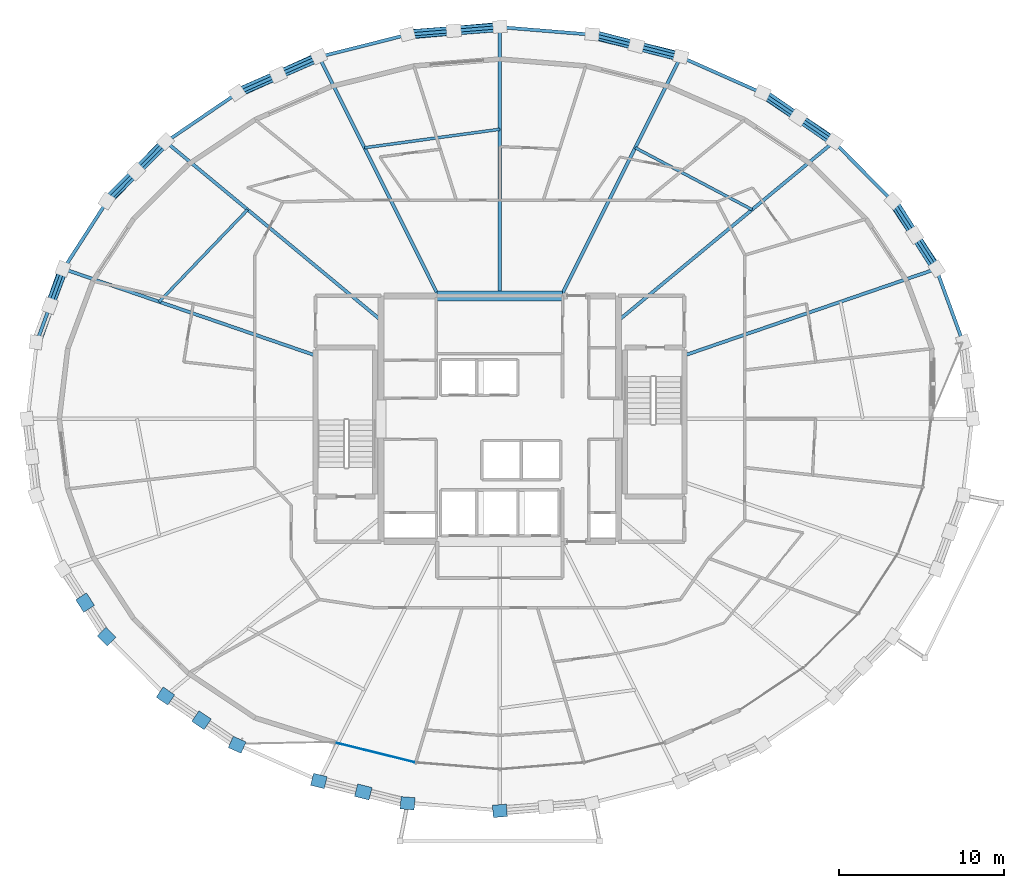
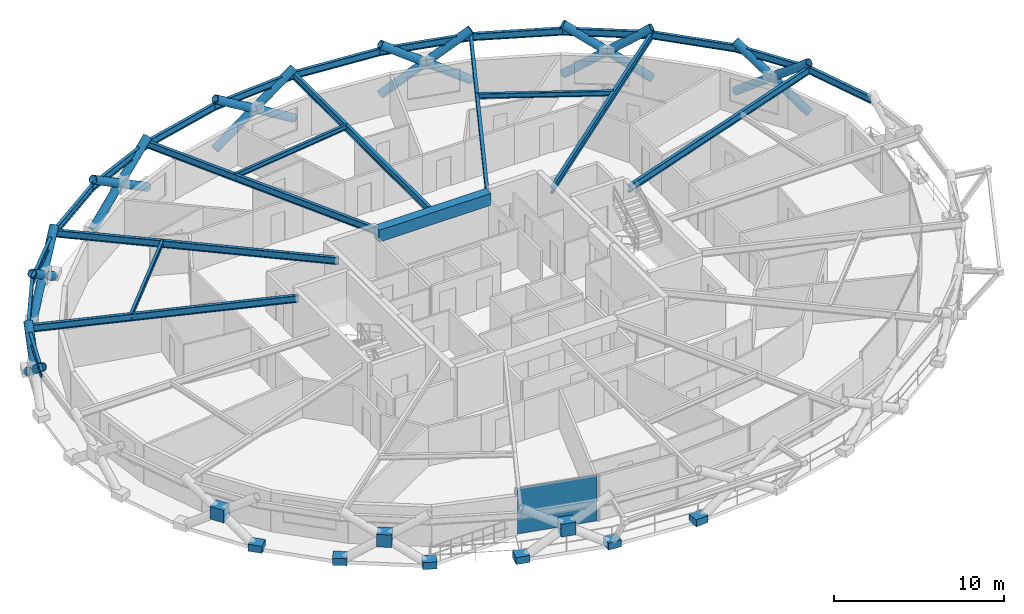
# One storey, part 12 of 21: 25 beams, 20 members, 10 plates, 1 element without a shape of its own.
"""IFC4 building model written with IfcOpenShell, lengths in metres."""

import ifcopenshell
import ifcopenshell.guid

model = None  # the IFC model being written
_history = None  # IfcOwnerHistory: only IFC2X3 demands one
_inside = {}  # id of a spatial element -> (the spatial element, [elements in it])
_under = {}  # id of a project, library or spatial element -> (it, [spatial elements below it])
_declared = {}  # id of a project -> (the project, [libraries it declares])
_typed = {}  # id of a type object -> (the type object, [elements of that type])
_made_of = {}  # id of a material, layer set ... -> (it, [elements and type objects made of it])


def new_model(schema):
    """Start an empty IFC model of exactly this schema.

    Asked for "IFC4X3", IfcOpenShell would pick the latest addendum, in which some entities
    have other attributes; the version numbers below select the first issue.
    IFC2X3 requires an IfcOwnerHistory on every rooted entity: one is made here for all.
    """
    global model, _history
    if schema == "IFC4X3":
        model = ifcopenshell.file(schema_version=(4, 3, 0, 0))
    else:
        model = ifcopenshell.file(schema=schema)
    _inside.clear()
    _under.clear()
    _declared.clear()
    _typed.clear()
    _made_of.clear()
    _history = None
    if model.schema == "IFC2X3":
        org = make("IfcOrganization", Name="unknown")
        user = make(
            "IfcPersonAndOrganization",
            ThePerson=make("IfcPerson", FamilyName="unknown"),
            TheOrganization=org,
        )
        app = make(
            "IfcApplication",
            ApplicationDeveloper=org,
            Version="unknown",
            ApplicationFullName="unknown",
            ApplicationIdentifier="unknown",
        )
        _history = make(
            "IfcOwnerHistory",
            OwningUser=user,
            OwningApplication=app,
            ChangeAction="ADDED",
            CreationDate=0,
        )
    return model


def make(cls, **values):
    """One entity of the class cls with the attributes given. An attribute that is None is left unset."""
    return model.create_entity(
        cls, **{name: value for name, value in values.items() if value is not None}
    )


def rooted(cls, **values):
    """An entity with a GlobalId (a new one), such as an element, a storey or a relation."""
    return make(cls, GlobalId=ifcopenshell.guid.new(), OwnerHistory=_history, **values)


def si_unit(unit_type, name, prefix=None):
    """IfcSIUnit, for example si_unit("LENGTHUNIT", "METRE", prefix="MILLI")."""
    return make("IfcSIUnit", UnitType=unit_type, Prefix=prefix, Name=name)


def assignment(units):
    """IfcUnitAssignment: the units of a project."""
    return None if units is None else make("IfcUnitAssignment", Units=units)


def point(xyz):
    """IfcCartesianPoint."""
    return None if xyz is None else make("IfcCartesianPoint", Coordinates=xyz)


def direction(xyz):
    """IfcDirection."""
    return None if xyz is None else make("IfcDirection", DirectionRatios=xyz)


def frame(location, z_axis=None, x_axis=None):
    """IfcAxis2Placement3D, a coordinate frame: its origin and axes. An axis left out is left unset."""
    return make(
        "IfcAxis2Placement3D",
        Location=point(location),
        Axis=direction(z_axis),
        RefDirection=direction(x_axis),
    )


def frame_2d(location, x_axis=None):
    """IfcAxis2Placement2D, a coordinate frame in the plane: its origin and x axis."""
    return make(
        "IfcAxis2Placement2D", Location=point(location), RefDirection=direction(x_axis)
    )


def origin():
    """The frame at (0, 0, 0) with its axes left unset."""
    return frame((0.0, 0.0, 0.0))


def origin_2d():
    """The frame at (0, 0) in the plane with its x axis left unset."""
    return frame_2d((0.0, 0.0))


def place(relative_to, where):
    """IfcLocalPlacement: puts the frame where relative to a parent placement (None: the world)."""
    return make(
        "IfcLocalPlacement", PlacementRelTo=relative_to, RelativePlacement=where
    )


def context(
    kind, dimensions, precision=None, world=None, true_north=None, identifier=None
):
    """IfcGeometricRepresentationContext, for example the 3D "Model" context."""
    return make(
        "IfcGeometricRepresentationContext",
        ContextIdentifier=identifier,
        ContextType=kind,
        CoordinateSpaceDimension=dimensions,
        Precision=precision,
        WorldCoordinateSystem=world,
        TrueNorth=true_north,
    )


def subcontext(parent, identifier, kind, view, scale=None):
    """IfcGeometricRepresentationSubContext, for example "Body" below "Model"."""
    return make(
        "IfcGeometricRepresentationSubContext",
        ContextIdentifier=identifier,
        ContextType=kind,
        ParentContext=parent,
        TargetScale=scale,
        TargetView=view,
    )


def project(units=None, contexts=None):
    """IfcProject with its units and contexts."""
    return rooted(
        "IfcProject",
        Name="project",
        RepresentationContexts=contexts,
        UnitsInContext=assignment(units),
    )


def spatial(cls, under=None, at=None, **own):
    """A site, building, storey or space (cls), placed at a placement, below another one or the project."""
    s = rooted(cls, ObjectPlacement=at, **own)
    if under is not None:
        _under.setdefault(under.id(), (under, []))[1].append(s)
    return s


def profile(cls, at=None, kind="AREA", **sizes):
    """A parametric profile (cls). Its sizes go by their IFC names, for example OverallWidth=200.0."""
    return make(cls, ProfileType=kind, Position=at, **sizes)


def rectangle(**sizes):
    """IfcRectangleProfileDef."""
    return profile("IfcRectangleProfileDef", **sizes)


def hollow_circle(**sizes):
    """IfcCircleHollowProfileDef."""
    return profile("IfcCircleHollowProfileDef", **sizes)


def i_section(**sizes):
    """IfcIShapeProfileDef."""
    return profile("IfcIShapeProfileDef", **sizes)


def extrude(swept, where, along, depth):
    """IfcExtrudedAreaSolid: the profile swept, set in the frame where, extruded along a direction by depth."""
    return make(
        "IfcExtrudedAreaSolid",
        SweptArea=swept,
        Position=where,
        ExtrudedDirection=direction(along),
        Depth=depth,
    )


def shape(context_of_items, identifier, shape_type, items):
    """IfcShapeRepresentation: the items that make up one representation, for example the "Body"."""
    return make(
        "IfcShapeRepresentation",
        ContextOfItems=context_of_items,
        RepresentationIdentifier=identifier,
        RepresentationType=shape_type,
        Items=items,
    )


def material(Name=None, Category=None):
    """IfcMaterial."""
    return make("IfcMaterial", Name=Name, Category=Category)


def layer(
    of_material, thickness, ventilated=None, Name=None, Category=None, Priority=None
):
    """IfcMaterialLayer: one layer of a wall or slab, of a material (None: an air gap)."""
    return make(
        "IfcMaterialLayer",
        Material=of_material,
        LayerThickness=thickness,
        IsVentilated=ventilated,
        Name=Name,
        Category=Category,
        Priority=Priority,
    )


def layer_set(layers, Name=None):
    """IfcMaterialLayerSet."""
    return make("IfcMaterialLayerSet", MaterialLayers=layers, LayerSetName=Name)


def material_profile(
    of_material, cross_section, Name=None, Category=None, Priority=None
):
    """IfcMaterialProfile: a cross section and its material."""
    return make(
        "IfcMaterialProfile",
        Name=Name,
        Material=of_material,
        Profile=cross_section,
        Priority=Priority,
        Category=Category,
    )


def profile_set(profiles, Name=None, composite=None):
    """IfcMaterialProfileSet."""
    return make(
        "IfcMaterialProfileSet",
        Name=Name,
        MaterialProfiles=profiles,
        CompositeProfile=composite,
    )


def made_of(thing, what):
    """Note that an element or type object is made of a material, layer set ...; save() writes the relation."""
    if what is not None:
        _made_of.setdefault(what.id(), (what, []))[1].append(thing)
    return thing


def type_object(cls, material=None, **own):
    """A type object (cls), such as IfcWallType, which elements share."""
    return made_of(rooted(cls, **own), material)


def element(
    cls,
    number,
    at=None,
    inside=None,
    cuts=None,
    type_object=None,
    material=None,
    context=None,
    identifier="Body",
    shape_type=None,
    held_by="IfcProductDefinitionShape",
    body=None,
    shapes=None,
    **own,
):
    """One element of the class cls, such as IfcWall. Its Tag is "e" and its number.

    at: its placement. inside: the storey or other place that contains it. cuts: it is an
    opening in that element (IfcRelVoidsElement). A single representation is given by context,
    identifier, shape_type and body (its items); several are given by shapes. held_by: the class
    of the entity that holds the representations. save() writes the other relations.
    """
    e = rooted(cls, Tag="e%d" % number, ObjectPlacement=at, **own)
    if body is not None:
        shapes = [shape(context, identifier, shape_type, body)]
    if shapes is not None:
        e.Representation = make(held_by, Representations=shapes)
    if inside is not None:
        _inside.setdefault(inside.id(), (inside, []))[1].append(e)
    if cuts is not None:
        rooted(
            "IfcRelVoidsElement", RelatingBuildingElement=cuts, RelatedOpeningElement=e
        )
    if type_object is not None:
        _typed.setdefault(type_object.id(), (type_object, []))[1].append(e)
    return made_of(e, material)


def aggregate(whole, parts):
    """IfcRelAggregates: a whole, such as a stair, and the parts it consists of."""
    return rooted("IfcRelAggregates", RelatingObject=whole, RelatedObjects=parts)


def save(model, path):
    """Write the relations noted so far, then the file.

    IfcRelAggregates (storeys below a building ...), IfcRelContainedInSpatialStructure (elements
    in a storey), IfcRelDefinesByType, IfcRelAssociatesMaterial and IfcRelDeclares: one each for
    every whole, place, type object, material and project.
    """
    for whole, parts in _under.values():
        aggregate(whole, parts)
    for where, things in _inside.values():
        rooted(
            "IfcRelContainedInSpatialStructure",
            RelatedElements=things,
            RelatingStructure=where,
        )
    for kind, things in _typed.values():
        rooted("IfcRelDefinesByType", RelatedObjects=things, RelatingType=kind)
    for what, things in _made_of.values():
        rooted("IfcRelAssociatesMaterial", RelatedObjects=things, RelatingMaterial=what)
    for by, libraries in _declared.values():
        rooted("IfcRelDeclares", RelatingContext=by, RelatedDefinitions=libraries)
    model.write(path)


model = new_model("IFC4")

# Units and contexts
model_context = context("Model", 3, precision=1e-05, world=origin(), true_north=direction((0.0, 1.0)))
body_context = subcontext(model_context, "Body", "Model", "MODEL_VIEW")
ifc_project = project(units=[si_unit("LENGTHUNIT", "METRE"), si_unit("AREAUNIT", "SQUARE_METRE"), si_unit("VOLUMEUNIT", "CUBIC_METRE"), si_unit("PLANEANGLEUNIT", "RADIAN"), si_unit("MASSUNIT", "GRAM", prefix="KILO")], contexts=[model_context])

# Site, building, storey
site_placement = place(None, origin())
site = spatial("IfcSite", under=ifc_project, at=site_placement, CompositionType="ELEMENT")
building_placement = place(site_placement, origin())
building = spatial("IfcBuilding", under=site, at=building_placement, Name="Veldorina Hangang Commons", CompositionType="ELEMENT")
storey_placement = place(building_placement, frame((0.0, 0.0, 120.800048828125)))
storey = spatial("IfcBuildingStorey", under=building, at=storey_placement, Name="L30", CompositionType="ELEMENT", Elevation=120.800048828125)

# Beams
ifc_material_1 = material(Name="Concrete C60/75", Category="concrete")
ifc_material_profile_1 = material_profile(ifc_material_1, rectangle(XDim=0.60009765625, YDim=0.85009765625, at=origin_2d()), Name="RC-CB-600x850")
ifc_profile_set_1 = profile_set([ifc_material_profile_1], Name="Concrete C60/75")
beam_type_1 = type_object("IfcBeamType", Name="BM-CB850", PredefinedType="LINTEL", material=ifc_profile_set_1)
beam_1_placement = place(storey_placement, frame((28.199951171875, 31.449951171875, 2.925048828125), z_axis=(1.0, 0.0, 0.0), x_axis=(0.0, 1.0, 0.0)))
element("IfcBeam", 1, at=beam_1_placement, inside=storey, type_object=beam_type_1, Name="L30 north core coupling beam", PredefinedType="LINTEL", context=body_context, shape_type="SweptSolid", body=[
    extrude(rectangle(XDim=0.60009765625, YDim=0.85009765625, at=origin_2d()), origin(), (0.0, 0.0, 1.0), 7.60009765625),
])
ifc_material_2 = material(Name="Steel SM420-TMC", Category="steel")
ifc_material_profile_2 = material_profile(ifc_material_2, i_section(OverallWidth=0.199951171875, OverallDepth=0.5, WebThickness=0.010009765625, FlangeThickness=0.01611328125, FilletRadius=0.01611328125, at=origin_2d()), Name="H-500x200x10x16")
ifc_profile_set_2 = profile_set([ifc_material_profile_2], Name="Steel SM420-TMC")
beam_type_2 = type_object("IfcBeamType", Name="BM-FG500", PredefinedType="BEAM", material=ifc_profile_set_2)
beam_2_placement = place(storey_placement, frame((43.179931640625, 27.840087890625, 3.099853515625), z_axis=(0.945765438335, 0.324850328077, 0.0), x_axis=(-0.324850328077, 0.945765438335, 0.0)))
element("IfcBeam", 2, at=beam_2_placement, inside=storey, type_object=beam_type_2, Name="L30 radial floor girder 02", PredefinedType="BEAM", context=body_context, shape_type="SweptSolid", body=[
    extrude(i_section(OverallWidth=0.199951171875, OverallDepth=0.5, WebThickness=0.010009765625, FlangeThickness=0.01611328125, FilletRadius=0.01611328125, at=origin_2d()), origin(), (0.0, 0.0, 1.0), 16.1484375),
])
beam_3_placement = place(storey_placement, frame((39.199951171875, 29.970458984375, 3.099853515625), z_axis=(0.769776432581, 0.638313593654, 0.0), x_axis=(-0.638313593654, 0.769776432581, 0.0)))
element("IfcBeam", 3, at=beam_3_placement, inside=storey, type_object=beam_type_2, Name="L30 radial floor girder 03", PredefinedType="BEAM", context=body_context, shape_type="SweptSolid", body=[
    extrude(i_section(OverallWidth=0.199951171875, OverallDepth=0.5, WebThickness=0.010009765625, FlangeThickness=0.01611328125, FilletRadius=0.01611328125, at=origin_2d()), origin(), (0.0, 0.0, 1.0), 16.947998046875),
])
beam_4_placement = place(storey_placement, frame((35.721435546875, 31.449951171875, 3.099853515625), z_axis=(0.446863753993, 0.894602026248, 0.0), x_axis=(-0.894602026248, 0.446863753993, 0.0)))
element("IfcBeam", 4, at=beam_4_placement, inside=storey, type_object=beam_type_2, Name="L30 radial floor girder 04", PredefinedType="BEAM", context=body_context, shape_type="SweptSolid", body=[
    extrude(i_section(OverallWidth=0.199951171875, OverallDepth=0.5, WebThickness=0.010009765625, FlangeThickness=0.01611328125, FilletRadius=0.01611328125, at=origin_2d()), origin(), (0.0, 0.0, 1.0), 16.19189453125),
])
beam_5_placement = place(storey_placement, frame((32.0, 31.449951171875, 3.099853515625), z_axis=(0.0, 1.0, 0.0), x_axis=(-1.0, 0.0, 0.0)))
element("IfcBeam", 5, at=beam_5_placement, inside=storey, type_object=beam_type_2, Name="L30 radial floor girder 05", PredefinedType="BEAM", context=body_context, shape_type="SweptSolid", body=[
    extrude(i_section(OverallWidth=0.199951171875, OverallDepth=0.5, WebThickness=0.010009765625, FlangeThickness=0.01611328125, FilletRadius=0.01611328125, at=origin_2d()), origin(), (0.0, 0.0, 1.0), 16.29248046875),
])
beam_6_placement = place(storey_placement, frame((28.278564453125, 31.449951171875, 3.099853515625), z_axis=(-0.446863753993, 0.894602026248, 0.0), x_axis=(-0.894602026248, -0.446863753993, 0.0)))
element("IfcBeam", 6, at=beam_6_placement, inside=storey, type_object=beam_type_2, Name="L30 radial floor girder 06", PredefinedType="BEAM", context=body_context, shape_type="SweptSolid", body=[
    extrude(i_section(OverallWidth=0.199951171875, OverallDepth=0.5, WebThickness=0.010009765625, FlangeThickness=0.01611328125, FilletRadius=0.01611328125, at=origin_2d()), origin(), (0.0, 0.0, 1.0), 16.19189453125),
])
beam_7_placement = place(storey_placement, frame((24.800048828125, 29.970458984375, 3.099853515625), z_axis=(-0.769776432581, 0.638313593654, 0.0), x_axis=(-0.638313593654, -0.769776432581, 0.0)))
element("IfcBeam", 7, at=beam_7_placement, inside=storey, type_object=beam_type_2, Name="L30 radial floor girder 07", PredefinedType="BEAM", context=body_context, shape_type="SweptSolid", body=[
    extrude(i_section(OverallWidth=0.199951171875, OverallDepth=0.5, WebThickness=0.010009765625, FlangeThickness=0.01611328125, FilletRadius=0.01611328125, at=origin_2d()), origin(), (0.0, 0.0, 1.0), 16.947998046875),
])
beam_8_placement = place(storey_placement, frame((20.820068359375, 27.840087890625, 3.099853515625), z_axis=(-0.945765438335, 0.324850328077, 0.0), x_axis=(-0.324850328077, -0.945765438335, 0.0)))
element("IfcBeam", 8, at=beam_8_placement, inside=storey, type_object=beam_type_2, Name="L30 radial floor girder 08", PredefinedType="BEAM", context=body_context, shape_type="SweptSolid", body=[
    extrude(i_section(OverallWidth=0.199951171875, OverallDepth=0.5, WebThickness=0.010009765625, FlangeThickness=0.01611328125, FilletRadius=0.01611328125, at=origin_2d()), origin(), (0.0, 0.0, 1.0), 16.1484375),
])
ifc_material_3 = material(Name="Steel SM355-TMC", Category="steel")
ifc_material_profile_3 = material_profile(ifc_material_3, i_section(OverallWidth=0.175048828125, OverallDepth=0.35009765625, WebThickness=0.007080078125, FlangeThickness=0.010986328125, FilletRadius=0.012939453125, at=origin_2d()), Name="H-350x175x7x11")
ifc_profile_set_3 = profile_set([ifc_material_profile_3], Name="Steel SM355-TMC")
beam_type_3 = type_object("IfcBeamType", Name="BM-JST350", PredefinedType="JOIST", material=ifc_profile_set_3)
beam_9_placement = place(storey_placement, frame((47.28857421875, 36.677490234375, 3.175048828125), z_axis=(-0.883549201949, 0.468338347496, 0.0), x_axis=(-0.468338347496, -0.883549201949, 0.0)))
element("IfcBeam", 9, at=beam_9_placement, inside=storey, type_object=beam_type_3, Name="L30 secondary floor joist 03", PredefinedType="JOIST", context=body_context, shape_type="SweptSolid", body=[
    extrude(i_section(OverallWidth=0.175048828125, OverallDepth=0.35009765625, WebThickness=0.007080078125, FlangeThickness=0.010986328125, FilletRadius=0.012939453125, at=origin_2d()), origin(), (0.0, 0.0, 1.0), 8.014404296875),
])
beam_10_placement = place(storey_placement, frame((32.0, 41.55126953125, 3.175048828125), z_axis=(-0.990811506541, -0.135249985232, 0.0), x_axis=(0.135249985232, -0.990811506541, 0.0)))
element("IfcBeam", 10, at=beam_10_placement, inside=storey, type_object=beam_type_3, Name="L30 secondary floor joist 05", PredefinedType="JOIST", context=body_context, shape_type="SweptSolid", body=[
    extrude(i_section(OverallWidth=0.175048828125, OverallDepth=0.35009765625, WebThickness=0.007080078125, FlangeThickness=0.010986328125, FilletRadius=0.012939453125, at=origin_2d()), origin(), (0.0, 0.0, 1.0), 8.28369140625),
])
beam_11_placement = place(storey_placement, frame((16.71142578125, 36.677490234375, 3.175048828125), z_axis=(-0.692466833638, -0.721449710175, 0.0), x_axis=(0.721449710175, -0.692466833638, 0.0)))
element("IfcBeam", 11, at=beam_11_placement, inside=storey, type_object=beam_type_3, Name="L30 secondary floor joist 07", PredefinedType="JOIST", context=body_context, shape_type="SweptSolid", body=[
    extrude(i_section(OverallWidth=0.175048828125, OverallDepth=0.35009765625, WebThickness=0.007080078125, FlangeThickness=0.010986328125, FilletRadius=0.012939453125, at=origin_2d()), origin(), (0.0, 0.0, 1.0), 7.7412109375),
])
ifc_material_profile_4 = material_profile(ifc_material_2, i_section(OverallWidth=0.199951171875, OverallDepth=0.5, WebThickness=0.010009765625, FlangeThickness=0.01611328125, FilletRadius=0.01611328125, at=origin_2d()), Name="H-500x200x10x16")
ifc_profile_set_4 = profile_set([ifc_material_profile_4], Name="Steel SM420-TMC")
beam_type_4 = type_object("IfcBeamType", Name="BM-RB500", PredefinedType="BEAM", material=ifc_profile_set_4)
beam_12_placement = place(storey_placement, frame((60.08203125, 28.632080078125, 3.099853515625), z_axis=(-0.343569350265, 0.939127308494, 0.0), x_axis=(-0.939127308494, -0.343569350265, 0.0)))
element("IfcBeam", 12, at=beam_12_placement, inside=storey, type_object=beam_type_4, Name="L30 perimeter hoop ring beam 01", PredefinedType="BEAM", context=body_context, shape_type="SweptSolid", body=[
    extrude(i_section(OverallWidth=0.199951171875, OverallDepth=0.5, WebThickness=0.010009765625, FlangeThickness=0.01611328125, FilletRadius=0.01611328125, at=origin_2d()), origin(), (0.0, 0.0, 1.0), 4.742431640625),
])
beam_13_placement = place(storey_placement, frame((58.45263671875, 33.0859375, 3.099853515625), z_axis=(-0.541770407584, 0.840526516813, 0.0), x_axis=(-0.840526516813, -0.541770407584, 0.0)))
element("IfcBeam", 13, at=beam_13_placement, inside=storey, type_object=beam_type_4, Name="L30 perimeter hoop ring beam 02", PredefinedType="BEAM", context=body_context, shape_type="SweptSolid", body=[
    extrude(i_section(OverallWidth=0.199951171875, OverallDepth=0.5, WebThickness=0.010009765625, FlangeThickness=0.01611328125, FilletRadius=0.01611328125, at=origin_2d()), origin(), (0.0, 0.0, 1.0), 4.883544921875),
])
beam_14_placement = place(storey_placement, frame((55.806884765625, 37.190673828125, 3.099853515625), z_axis=(-0.703431814943, 0.710762746439, 0.0), x_axis=(-0.710762746439, -0.703431814943, 0.0)))
element("IfcBeam", 14, at=beam_14_placement, inside=storey, type_object=beam_type_4, Name="L30 perimeter hoop ring beam 03", PredefinedType="BEAM", context=body_context, shape_type="SweptSolid", body=[
    extrude(i_section(OverallWidth=0.199951171875, OverallDepth=0.5, WebThickness=0.010009765625, FlangeThickness=0.01611328125, FilletRadius=0.01611328125, at=origin_2d()), origin(), (0.0, 0.0, 1.0), 5.06201171875),
])
beam_15_placement = place(storey_placement, frame((52.24609375, 40.78857421875, 3.099853515625), z_axis=(-0.826730910528, 0.562597548499, 0.0), x_axis=(-0.562597548499, -0.826730910528, 0.0)))
element("IfcBeam", 15, at=beam_15_placement, inside=storey, type_object=beam_type_4, Name="L30 perimeter hoop ring beam 04", PredefinedType="BEAM", context=body_context, shape_type="SweptSolid", body=[
    extrude(i_section(OverallWidth=0.199951171875, OverallDepth=0.5, WebThickness=0.010009765625, FlangeThickness=0.01611328125, FilletRadius=0.01611328125, at=origin_2d()), origin(), (0.0, 0.0, 1.0), 5.248291015625),
])
beam_16_placement = place(storey_placement, frame((47.9072265625, 43.7412109375, 3.099853515625), z_axis=(-0.914221993939, 0.405213703863, 0.0), x_axis=(-0.405213703863, -0.914221993939, 0.0)))
element("IfcBeam", 16, at=beam_16_placement, inside=storey, type_object=beam_type_4, Name="L30 perimeter hoop ring beam 05", PredefinedType="BEAM", context=body_context, shape_type="SweptSolid", body=[
    extrude(i_section(OverallWidth=0.199951171875, OverallDepth=0.5, WebThickness=0.010009765625, FlangeThickness=0.01611328125, FilletRadius=0.01611328125, at=origin_2d()), origin(), (0.0, 0.0, 1.0), 5.41455078125),
])
beam_17_placement = place(storey_placement, frame((42.95703125, 45.935302734375, 3.099853515625), z_axis=(-0.969788824145, 0.243945970583, 0.0), x_axis=(-0.243945970583, -0.969788824145, 0.0)))
element("IfcBeam", 17, at=beam_17_placement, inside=storey, type_object=beam_type_4, Name="L30 perimeter hoop ring beam 06", PredefinedType="BEAM", context=body_context, shape_type="SweptSolid", body=[
    extrude(i_section(OverallWidth=0.199951171875, OverallDepth=0.5, WebThickness=0.010009765625, FlangeThickness=0.01611328125, FilletRadius=0.01611328125, at=origin_2d()), origin(), (0.0, 0.0, 1.0), 5.538330078125),
])
for number, where, z_axis, x_axis, name in (
    (18, (37.5859375, 47.286376953125, 3.099853515625), (-0.996683750667, 0.081372606916, 0.0), (-0.081372606916, -0.996683750667, 0.0), "L30 perimeter hoop ring beam 07"),
    (19, (32.0, 47.742431640625, 3.099853515625), (-0.996683750667, -0.081372606916, 0.0), (0.081372606916, -0.996683750667, 0.0), "L30 perimeter hoop ring beam 08"),
):
    element("IfcBeam", number, at=place(storey_placement, frame(where, z_axis=z_axis, x_axis=x_axis)), inside=storey, type_object=beam_type_4, Name=name, PredefinedType="BEAM", context=body_context, shape_type="SweptSolid", body=[
        extrude(i_section(OverallWidth=0.199951171875, OverallDepth=0.5, WebThickness=0.010009765625, FlangeThickness=0.01611328125, FilletRadius=0.01611328125, at=origin_2d()), origin(), (0.0, 0.0, 1.0), 5.6044921875),
    ])
beam_18_placement = place(storey_placement, frame((26.4140625, 47.286376953125, 3.099853515625), z_axis=(-0.969788824145, -0.243945970583, 0.0), x_axis=(0.243945970583, -0.969788824145, 0.0)))
element("IfcBeam", 20, at=beam_18_placement, inside=storey, type_object=beam_type_4, Name="L30 perimeter hoop ring beam 09", PredefinedType="BEAM", context=body_context, shape_type="SweptSolid", body=[
    extrude(i_section(OverallWidth=0.199951171875, OverallDepth=0.5, WebThickness=0.010009765625, FlangeThickness=0.01611328125, FilletRadius=0.01611328125, at=origin_2d()), origin(), (0.0, 0.0, 1.0), 5.538330078125),
])
beam_19_placement = place(storey_placement, frame((21.04296875, 45.935302734375, 3.099853515625), z_axis=(-0.914221993939, -0.405213703863, 0.0), x_axis=(0.405213703863, -0.914221993939, 0.0)))
element("IfcBeam", 21, at=beam_19_placement, inside=storey, type_object=beam_type_4, Name="L30 perimeter hoop ring beam 10", PredefinedType="BEAM", context=body_context, shape_type="SweptSolid", body=[
    extrude(i_section(OverallWidth=0.199951171875, OverallDepth=0.5, WebThickness=0.010009765625, FlangeThickness=0.01611328125, FilletRadius=0.01611328125, at=origin_2d()), origin(), (0.0, 0.0, 1.0), 5.41455078125),
])
beam_20_placement = place(storey_placement, frame((16.0927734375, 43.7412109375, 3.099853515625), z_axis=(-0.826730910528, -0.562597548499, 0.0), x_axis=(0.562597548499, -0.826730910528, 0.0)))
element("IfcBeam", 22, at=beam_20_placement, inside=storey, type_object=beam_type_4, Name="L30 perimeter hoop ring beam 11", PredefinedType="BEAM", context=body_context, shape_type="SweptSolid", body=[
    extrude(i_section(OverallWidth=0.199951171875, OverallDepth=0.5, WebThickness=0.010009765625, FlangeThickness=0.01611328125, FilletRadius=0.01611328125, at=origin_2d()), origin(), (0.0, 0.0, 1.0), 5.248291015625),
])
beam_21_placement = place(storey_placement, frame((11.75390625, 40.78857421875, 3.099853515625), z_axis=(-0.703431814943, -0.710762746439, 0.0), x_axis=(0.710762746439, -0.703431814943, 0.0)))
element("IfcBeam", 23, at=beam_21_placement, inside=storey, type_object=beam_type_4, Name="L30 perimeter hoop ring beam 12", PredefinedType="BEAM", context=body_context, shape_type="SweptSolid", body=[
    extrude(i_section(OverallWidth=0.199951171875, OverallDepth=0.5, WebThickness=0.010009765625, FlangeThickness=0.01611328125, FilletRadius=0.01611328125, at=origin_2d()), origin(), (0.0, 0.0, 1.0), 5.06201171875),
])
beam_22_placement = place(storey_placement, frame((8.193115234375, 37.190673828125, 3.099853515625), z_axis=(-0.541770407584, -0.840526516813, 0.0), x_axis=(0.840526516813, -0.541770407584, 0.0)))
element("IfcBeam", 24, at=beam_22_placement, inside=storey, type_object=beam_type_4, Name="L30 perimeter hoop ring beam 13", PredefinedType="BEAM", context=body_context, shape_type="SweptSolid", body=[
    extrude(i_section(OverallWidth=0.199951171875, OverallDepth=0.5, WebThickness=0.010009765625, FlangeThickness=0.01611328125, FilletRadius=0.01611328125, at=origin_2d()), origin(), (0.0, 0.0, 1.0), 4.883544921875),
])
beam_23_placement = place(storey_placement, frame((5.54736328125, 33.0859375, 3.099853515625), z_axis=(-0.343569350265, -0.939127308494, 0.0), x_axis=(0.939127308494, -0.343569350265, 0.0)))
element("IfcBeam", 25, at=beam_23_placement, inside=storey, type_object=beam_type_4, Name="L30 perimeter hoop ring beam 14", PredefinedType="BEAM", context=body_context, shape_type="SweptSolid", body=[
    extrude(i_section(OverallWidth=0.199951171875, OverallDepth=0.5, WebThickness=0.010009765625, FlangeThickness=0.01611328125, FilletRadius=0.01611328125, at=origin_2d()), origin(), (0.0, 0.0, 1.0), 4.742431640625),
])

# Members
ifc_material_profile_5 = material_profile(ifc_material_2, hollow_circle(Radius=0.27490234375, WallThickness=0.028076171875, at=origin_2d()), Name="CHS-550x28")
ifc_profile_set_5 = profile_set([ifc_material_profile_5], Name="Steel SM420-TMC")
member_type = type_object("IfcMemberType", Name="DG-CHS550", PredefinedType="BRACE", material=ifc_profile_set_5)
member_1_placement = place(storey_placement, frame((58.48486328125, 33.09521484375, 0.0), z_axis=(-0.441588226358, 0.673734480218, 0.592521466707), x_axis=(-0.836360973409, -0.548179096791, 0.0)))
element("IfcMember", 26, at=member_1_placement, inside=storey, type_object=member_type, Name="L30 continuous perimeter diagrid brace 02", PredefinedType="BRACE", context=body_context, shape_type="SweptSolid", body=[
    extrude(hollow_circle(Radius=0.27490234375, WallThickness=0.028076171875, at=origin_2d()), origin(), (0.0, 0.0, 1.0), 6.075439453125),
])
member_2_placement = place(storey_placement, frame((55.835693359375, 37.2041015625, 0.0), z_axis=(0.430878712197, -0.679521406382, 0.593796424412), x_axis=(0.84452954483, 0.535508961558, 0.0)))
element("IfcMember", 27, at=member_2_placement, inside=storey, type_object=member_type, Name="L30 split perimeter diagrid lower brace 03", PredefinedType="BRACE", context=body_context, shape_type="SweptSolid", body=[
    extrude(hollow_circle(Radius=0.27490234375, WallThickness=0.028076171875, at=origin_2d()), origin(), (0.0, 0.0, 1.0), 3.032958984375),
])
member_3_placement = place(storey_placement, frame((57.142578125, 35.14306640625, 1.801025390625), z_axis=(0.430775214693, -0.679569057117, 0.593816984445), x_axis=(0.844604694174, 0.535390428173, 0.0)))
element("IfcMember", 28, at=member_3_placement, inside=storey, type_object=member_type, Name="L30 split perimeter diagrid upper brace 03", PredefinedType="BRACE", context=body_context, shape_type="SweptSolid", body=[
    extrude(hollow_circle(Radius=0.27490234375, WallThickness=0.028076171875, at=origin_2d()), origin(), (0.0, 0.0, 1.0), 3.029296875),
])
member_4_placement = place(storey_placement, frame((52.2705078125, 40.8056640625, 0.0), z_axis=(-0.685088979462, 0.460045772622, 0.564810567636), x_axis=(-0.557482178727, -0.830188906456, 0.0)))
element("IfcMember", 29, at=member_4_placement, inside=storey, type_object=member_type, Name="L30 continuous perimeter diagrid brace 04", PredefinedType="BRACE", context=body_context, shape_type="SweptSolid", body=[
    extrude(hollow_circle(Radius=0.27490234375, WallThickness=0.028076171875, at=origin_2d()), origin(), (0.0, 0.0, 1.0), 6.37353515625),
])
member_5_placement = place(storey_placement, frame((47.926513671875, 43.761474609375, 0.0), z_axis=(0.678671000112, -0.467895506917, 0.566109060353), x_axis=(0.56760679126, 0.823299781681, 0.0)))
element("IfcMember", 30, at=member_5_placement, inside=storey, type_object=member_type, Name="L30 split perimeter diagrid lower brace 05", PredefinedType="BRACE", context=body_context, shape_type="SweptSolid", body=[
    extrude(hollow_circle(Radius=0.27490234375, WallThickness=0.028076171875, at=origin_2d()), origin(), (0.0, 0.0, 1.0), 3.181884765625),
])
member_6_placement = place(storey_placement, frame((50.0859375, 42.272705078125, 1.80126953125), z_axis=(0.678627717059, -0.468016465649, 0.566060959191), x_axis=(0.56773077769, 0.823214288058, 0.0)))
element("IfcMember", 31, at=member_6_placement, inside=storey, type_object=member_type, Name="L30 split perimeter diagrid upper brace 05", PredefinedType="BRACE", context=body_context, shape_type="SweptSolid", body=[
    extrude(hollow_circle(Radius=0.27490234375, WallThickness=0.028076171875, at=origin_2d()), origin(), (0.0, 0.0, 1.0), 3.17724609375),
])
member_7_placement = place(storey_placement, frame((42.970458984375, 45.957763671875, 0.0), z_axis=(-0.814526876602, 0.200345549975, 0.544433308953), x_axis=(-0.238846641662, -0.97105730097, 0.0)))
element("IfcMember", 32, at=member_7_placement, inside=storey, type_object=member_type, Name="L30 continuous perimeter diagrid brace 06", PredefinedType="BRACE", context=body_context, shape_type="SweptSolid", body=[
    extrude(hollow_circle(Radius=0.27490234375, WallThickness=0.028076171875, at=origin_2d()), origin(), (0.0, 0.0, 1.0), 6.612060546875),
])
member_8_placement = place(storey_placement, frame((37.5927734375, 47.310302734375, 0.0), z_axis=(0.811945160078, -0.208731010758, 0.545138901725), x_axis=(0.248979628676, 0.968508721956, 0.0)))
element("IfcMember", 33, at=member_8_placement, inside=storey, type_object=member_type, Name="L30 split perimeter diagrid lower brace 07", PredefinedType="BRACE", context=body_context, shape_type="SweptSolid", body=[
    extrude(hollow_circle(Radius=0.27490234375, WallThickness=0.028076171875, at=origin_2d()), origin(), (0.0, 0.0, 1.0), 3.30419921875),
])
member_9_placement = place(storey_placement, frame((40.275634765625, 46.62060546875, 1.80126953125), z_axis=(0.811964846241, -0.208799416447, 0.545083380924), x_axis=(0.249050500324, 0.968490499844, 0.0)))
element("IfcMember", 34, at=member_9_placement, inside=storey, type_object=member_type, Name="L30 split perimeter diagrid upper brace 07", PredefinedType="BRACE", context=body_context, shape_type="SweptSolid", body=[
    extrude(hollow_circle(Radius=0.27490234375, WallThickness=0.028076171875, at=origin_2d()), origin(), (0.0, 0.0, 1.0), 3.299560546875),
])
member_10_placement = place(storey_placement, frame((32.0, 47.766845703125, 0.0), z_axis=(-0.838290716303, -0.072706831963, 0.540353950246), x_axis=(0.086407848629, -0.996259847477, 0.0)))
element("IfcMember", 35, at=member_10_placement, inside=storey, type_object=member_type, Name="L30 continuous perimeter diagrid brace 08", PredefinedType="BRACE", context=body_context, shape_type="SweptSolid", body=[
    extrude(hollow_circle(Radius=0.27490234375, WallThickness=0.028076171875, at=origin_2d()), origin(), (0.0, 0.0, 1.0), 6.662109375),
])
member_11_placement = place(storey_placement, frame((26.4072265625, 47.310302734375, 0.0), z_axis=(0.839124041393, 0.064204483014, 0.540137600541), x_axis=(-0.07629070723, 0.997085617182, 0.0)))
element("IfcMember", 36, at=member_11_placement, inside=storey, type_object=member_type, Name="L30 split perimeter diagrid lower brace 09", PredefinedType="BRACE", context=body_context, shape_type="SweptSolid", body=[
    extrude(hollow_circle(Radius=0.27490234375, WallThickness=0.028076171875, at=origin_2d()), origin(), (0.0, 0.0, 1.0), 3.334716796875),
])
member_12_placement = place(storey_placement, frame((29.20556640625, 47.5244140625, 1.80126953125), z_axis=(0.839142492482, 0.064295646156, 0.540098090347), x_axis=(-0.076396729594, 0.997077499349, 0.0)))
element("IfcMember", 37, at=member_12_placement, inside=storey, type_object=member_type, Name="L30 split perimeter diagrid upper brace 09", PredefinedType="BRACE", context=body_context, shape_type="SweptSolid", body=[
    extrude(hollow_circle(Radius=0.27490234375, WallThickness=0.028076171875, at=origin_2d()), origin(), (0.0, 0.0, 1.0), 3.330078125),
])
member_13_placement = place(storey_placement, frame((21.029541015625, 45.957763671875, 0.0), z_axis=(-0.759216045998, -0.341624678655, 0.553970734275), x_axis=(0.410342160484, -0.911931637421, 0.0)))
element("IfcMember", 38, at=member_13_placement, inside=storey, type_object=member_type, Name="L30 continuous perimeter diagrid brace 10", PredefinedType="BRACE", context=body_context, shape_type="SweptSolid", body=[
    extrude(hollow_circle(Radius=0.27490234375, WallThickness=0.028076171875, at=origin_2d()), origin(), (0.0, 0.0, 1.0), 6.498291015625),
])
member_14_placement = place(storey_placement, frame((16.073486328125, 43.761474609375, 0.0), z_axis=(0.763641180418, 0.33329201387, 0.552963453639), x_axis=(-0.400011774501, 0.916510000088, 0.0)))
element("IfcMember", 39, at=member_14_placement, inside=storey, type_object=member_type, Name="L30 split perimeter diagrid lower brace 11", PredefinedType="BRACE", context=body_context, shape_type="SweptSolid", body=[
    extrude(hollow_circle(Radius=0.27490234375, WallThickness=0.028076171875, at=origin_2d()), origin(), (0.0, 0.0, 1.0), 3.257568359375),
])
member_15_placement = place(storey_placement, frame((18.56103515625, 44.84716796875, 1.80126953125), z_axis=(0.763647298112, 0.333378014567, 0.552903159233), x_axis=(-0.400095777998, 0.916473332088, 0.0)))
element("IfcMember", 40, at=member_15_placement, inside=storey, type_object=member_type, Name="L30 split perimeter diagrid upper brace 11", PredefinedType="BRACE", context=body_context, shape_type="SweptSolid", body=[
    extrude(hollow_circle(Radius=0.27490234375, WallThickness=0.028076171875, at=origin_2d()), origin(), (0.0, 0.0, 1.0), 3.2529296875),
])
member_16_placement = place(storey_placement, frame((11.7294921875, 40.8056640625, 0.0), z_axis=(-0.569045098849, -0.582853244697, 0.58006014397), x_axis=(0.715531671728, -0.698580293706, 0.0)))
element("IfcMember", 41, at=member_16_placement, inside=storey, type_object=member_type, Name="L30 continuous perimeter diagrid brace 12", PredefinedType="BRACE", context=body_context, shape_type="SweptSolid", body=[
    extrude(hollow_circle(Radius=0.27490234375, WallThickness=0.028076171875, at=origin_2d()), origin(), (0.0, 0.0, 1.0), 6.2060546875),
])
member_17_placement = place(storey_placement, frame((8.164306640625, 37.2041015625, 0.0), z_axis=(0.577688762306, 0.575649399397, 0.57870844376), x_axis=(-0.705855352884, 0.708355998637, 0.0)))
element("IfcMember", 42, at=member_17_placement, inside=storey, type_object=member_type, Name="L30 split perimeter diagrid lower brace 13", PredefinedType="BRACE", context=body_context, shape_type="SweptSolid", body=[
    extrude(hollow_circle(Radius=0.27490234375, WallThickness=0.028076171875, at=origin_2d()), origin(), (0.0, 0.0, 1.0), 3.112548828125),
])
member_18_placement = place(storey_placement, frame((9.96240234375, 38.995849609375, 1.80126953125), z_axis=(0.577610898074, 0.575804391322, 0.578631967108), x_axis=(-0.705998427621, 0.708213400181, 0.0)))
element("IfcMember", 43, at=member_18_placement, inside=storey, type_object=member_type, Name="L30 split perimeter diagrid upper brace 13", PredefinedType="BRACE", context=body_context, shape_type="SweptSolid", body=[
    extrude(hollow_circle(Radius=0.27490234375, WallThickness=0.028076171875, at=origin_2d()), origin(), (0.0, 0.0, 1.0), 3.1083984375),
])
member_19_placement = place(storey_placement, frame((5.51513671875, 33.09521484375, 0.0), z_axis=(-0.267420727743, -0.750082529034, 0.604865566892), x_axis=(0.941927077938, -0.335817479961, 0.0)))
element("IfcMember", 44, at=member_19_placement, inside=storey, type_object=member_type, Name="L30 continuous perimeter diagrid brace 14", PredefinedType="BRACE", context=body_context, shape_type="SweptSolid", body=[
    extrude(hollow_circle(Radius=0.27490234375, WallThickness=0.028076171875, at=origin_2d()), origin(), (0.0, 0.0, 1.0), 5.951416015625),
])
member_20_placement = place(storey_placement, frame((4.71875, 30.86181640625, 1.801025390625), z_axis=(0.279925118458, 0.746248397786, 0.603949713849), x_axis=(-0.936295361372, 0.351213604908, 0.0)))
element("IfcMember", 45, at=member_20_placement, inside=storey, type_object=member_type, Name="L30 split perimeter diagrid upper brace 15", PredefinedType="BRACE", context=body_context, shape_type="SweptSolid", body=[
    extrude(hollow_circle(Radius=0.27490234375, WallThickness=0.028076171875, at=origin_2d()), origin(), (0.0, 0.0, 1.0), 2.978515625),
])

# Curtain wall, plate
ifc_material_4 = material(Name="Glass Low-E Triple IGU", Category="glass")
ifc_layer_1 = layer(ifc_material_4, 0.179931640625)
ifc_layer_set_1 = layer_set([ifc_layer_1], Name="Glass Low-E Triple IGU")
curtain_wall_type = type_object("IfcCurtainWallType", Name="CW-SYS-Z2", PredefinedType="NOTDEFINED", material=ifc_layer_set_1)
curtain_wall_placement = place(storey_placement, origin())
curtain_wall = element("IfcCurtainWall", 46, at=curtain_wall_placement, inside=storey, type_object=curtain_wall_type, Name="L30 unitised curtain wall CW-L30-R1", PredefinedType="NOTDEFINED")
ifc_layer_2 = layer(ifc_material_4, 0.0400390625)
ifc_layer_set_2 = layer_set([ifc_layer_2], Name="Glass Low-E Triple IGU")
plate_type_1 = type_object("IfcPlateType", Name="CW-PNL-VIS", PredefinedType="CURTAIN_PANEL", material=ifc_layer_set_2)
plate_1_placement = place(storey_placement, frame((24.446533203125, 3.765869140625, 0.01513671875), z_axis=(0.0, 0.0, 1.0), x_axis=(0.970942460014, -0.23931305719, 0.0)))
plate_1 = element("IfcPlate", 47, at=plate_1_placement, type_object=plate_type_1, Name="CW-L30-R1 facet 1 glazed vision panel", PredefinedType="CURTAIN_PANEL", context=body_context, shape_type="SweptSolid", body=[
    extrude(rectangle(XDim=4.871826171875, YDim=0.0400390625, at=origin_2d()), origin(), (0.0, 0.0, 1.0), 3.280029296875),
])
aggregate(curtain_wall, [plate_1])

# Plates
ifc_material_5 = material(Name="Steel SM460-TMC", Category="steel")
ifc_layer_3 = layer(ifc_material_5, 0.035888671875)
ifc_layer_set_3 = layer_set([ifc_layer_3], Name="Steel SM460-TMC")
plate_type_2 = type_object("IfcPlateType", Name="PL-STAR-36", PredefinedType="USERDEFINED", material=ifc_layer_set_3)
plate_2_placement = place(storey_placement, frame((6.857421875, 12.85693359375, 1.35107421875), z_axis=(0.0, 0.0, 1.0), x_axis=(0.541869577501, -0.840462587495, 0.0)))
element("IfcPlate", 48, at=plate_2_placement, inside=storey, type_object=plate_type_2, Name="L30 diagrid X-crossing star-node gusset plate 18", ObjectType="GUSSET PLATE", PredefinedType="USERDEFINED", context=body_context, shape_type="SweptSolid", body=[
    extrude(rectangle(XDim=0.89990234375, YDim=0.780029296875, at=origin_2d()), origin(), (0.0, 0.0, 1.0), 0.89990234375),
])
for number, where, z_axis, x_axis, name in (
    (49, (8.164306640625, 10.7958984375, -0.090087890625), (0.0, 0.0, 1.0), (0.703506346253, -0.710688976123, 0.0), "L30 diagrid star-node gusset plate 19"),
    (50, (11.7294921875, 7.1943359375, -0.090087890625), (0.0, 0.0, 1.0), (0.826766518716, -0.562545219098, 0.0), "L30 diagrid star-node gusset plate 20"),
):
    element("IfcPlate", number, at=place(storey_placement, frame(where, z_axis=z_axis, x_axis=x_axis)), inside=storey, type_object=plate_type_2, Name=name, ObjectType="GUSSET PLATE", PredefinedType="USERDEFINED", context=body_context, shape_type="SweptSolid", body=[
        extrude(rectangle(XDim=0.85009765625, YDim=0.75, at=origin_2d()), origin(), (0.0, 0.0, 1.0), 0.5),
    ])
plate_3_placement = place(storey_placement, frame((13.9140625, 5.727294921875, 1.351318359375), z_axis=(0.0, 0.0, 1.0), x_axis=(0.826766518716, -0.562545219098, 0.0)))
element("IfcPlate", 51, at=plate_3_placement, inside=storey, type_object=plate_type_2, Name="L30 diagrid X-crossing star-node gusset plate 20", ObjectType="GUSSET PLATE", PredefinedType="USERDEFINED", context=body_context, shape_type="SweptSolid", body=[
    extrude(rectangle(XDim=0.89990234375, YDim=0.780029296875, at=origin_2d()), origin(), (0.0, 0.0, 1.0), 0.89990234375),
])
for number, where, z_axis, x_axis, name in (
    (52, (16.073486328125, 4.238525390625, -0.090087890625), (0.0, 0.0, 1.0), (0.91424688404, -0.40515754346, 0.0), "L30 diagrid star-node gusset plate 21"),
    (53, (21.029541015625, 2.042236328125, -0.090087890625), (0.0, 0.0, 1.0), (0.969803947324, -0.243885841644, 0.0), "L30 diagrid star-node gusset plate 22"),
):
    element("IfcPlate", number, at=place(storey_placement, frame(where, z_axis=z_axis, x_axis=x_axis)), inside=storey, type_object=plate_type_2, Name=name, ObjectType="GUSSET PLATE", PredefinedType="USERDEFINED", context=body_context, shape_type="SweptSolid", body=[
        extrude(rectangle(XDim=0.85009765625, YDim=0.75, at=origin_2d()), origin(), (0.0, 0.0, 1.0), 0.5),
    ])
plate_4_placement = place(storey_placement, frame((23.724365234375, 1.37939453125, 1.351318359375), z_axis=(0.0, 0.0, 1.0), x_axis=(0.969803947324, -0.243885841644, 0.0)))
element("IfcPlate", 54, at=plate_4_placement, inside=storey, type_object=plate_type_2, Name="L30 diagrid X-crossing star-node gusset plate 22", ObjectType="GUSSET PLATE", PredefinedType="USERDEFINED", context=body_context, shape_type="SweptSolid", body=[
    extrude(rectangle(XDim=0.89990234375, YDim=0.780029296875, at=origin_2d()), origin(), (0.0, 0.0, 1.0), 0.89990234375),
])
for number, where, z_axis, x_axis, name in (
    (55, (26.4072265625, 0.689697265625, -0.090087890625), (0.0, 0.0, 1.0), (0.996682994472, -0.081381868556, 0.0), "L30 diagrid star-node gusset plate 23"),
    (56, (32.0, 0.233154296875, -0.090087890625), (0.0, 0.0, 1.0), (0.996682994472, 0.081381868556, 0.0), "L30 diagrid star-node gusset plate 24"),
):
    element("IfcPlate", number, at=place(storey_placement, frame(where, z_axis=z_axis, x_axis=x_axis)), inside=storey, type_object=plate_type_2, Name=name, ObjectType="GUSSET PLATE", PredefinedType="USERDEFINED", context=body_context, shape_type="SweptSolid", body=[
        extrude(rectangle(XDim=0.85009765625, YDim=0.75, at=origin_2d()), origin(), (0.0, 0.0, 1.0), 0.5),
    ])

save(model, "model.ifc")
